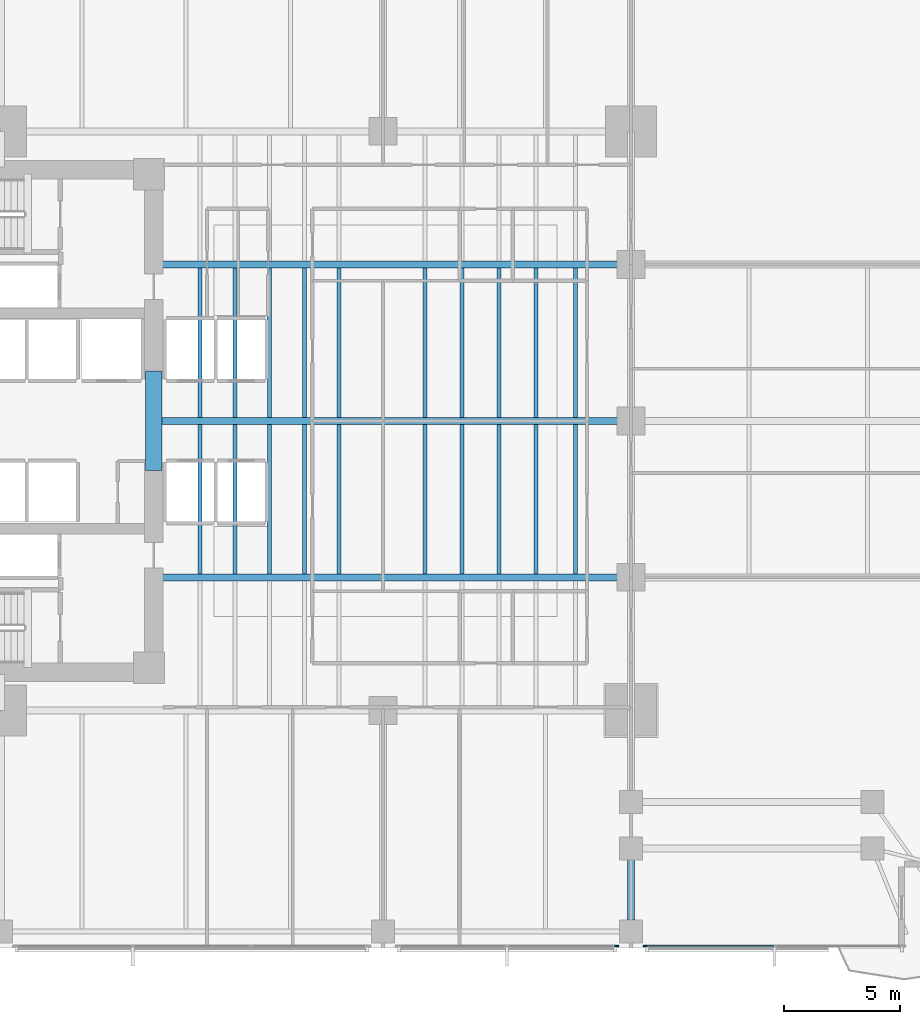
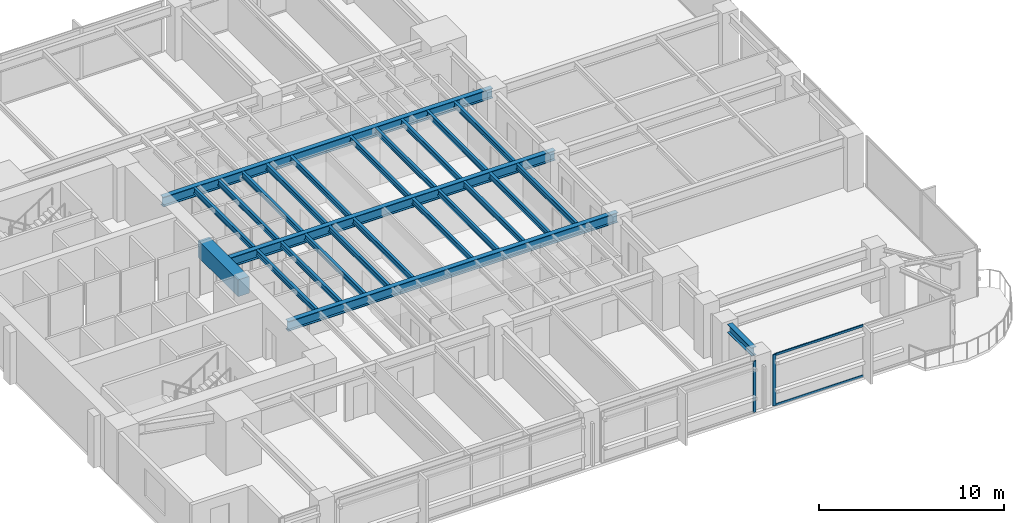
# One storey, part 3 of 15: 25 beams, 4 members, 2 elements without a shape of their own.
"""IFC4 building model written with IfcOpenShell, lengths in metres."""

from ifc_helpers import new_model, si_unit, direction, frame, origin, origin_2d, place, context, subcontext, project, spatial, rectangle, i_section, extrude, material, layer, layer_set, material_profile, profile_set, type_object, element, aggregate, save


model = new_model("IFC4")

# Units and contexts
model_context = context("Model", 3, precision=1e-05, world=origin(), true_north=direction((0.0, 1.0)))
body_context = subcontext(model_context, "Body", "Model", "MODEL_VIEW")
ifc_project = project(units=[si_unit("LENGTHUNIT", "METRE"), si_unit("AREAUNIT", "SQUARE_METRE"), si_unit("VOLUMEUNIT", "CUBIC_METRE"), si_unit("PLANEANGLEUNIT", "RADIAN"), si_unit("MASSUNIT", "GRAM", prefix="KILO")], contexts=[model_context])

# Site, building, storey
site_placement = place(None, origin())
site = spatial("IfcSite", under=ifc_project, at=site_placement, CompositionType="ELEMENT")
building_placement = place(site_placement, origin())
building = spatial("IfcBuilding", under=site, at=building_placement, Name="Kinhvarn Gate Tower", CompositionType="ELEMENT")
storey_placement = place(building_placement, frame((0.0, 0.0, 78.85009765625)))
storey = spatial("IfcBuildingStorey", under=building, at=storey_placement, Name="L20", CompositionType="ELEMENT", Elevation=78.85009765625)

# Beam
ifc_material_1 = material(Name="Concrete C70/85", Category="concrete")
ifc_material_profile_1 = material_profile(ifc_material_1, rectangle(XDim=0.699951171875, YDim=1.10009765625, at=origin_2d()), Name="RC 700x1100")
ifc_profile_set_1 = profile_set([ifc_material_profile_1], Name="Concrete C70/85")
beam_type_1 = type_object("IfcBeamType", Name="BM-CB-1100", PredefinedType="LINTEL", material=ifc_profile_set_1)
beam_1_placement = place(storey_placement, frame((17.60009765625, 23.10009765625, 2.81982421875), z_axis=(0.0, 1.0, 0.0), x_axis=(-1.0, 0.0, 0.0)))
element("IfcBeam", 1, at=beam_1_placement, inside=storey, type_object=beam_type_1, Name="Core East Portal Coupling Beam L20", PredefinedType="LINTEL", context=body_context, shape_type="SweptSolid", body=[
    extrude(rectangle(XDim=0.699951171875, YDim=1.10009765625, at=origin_2d()), origin(), (0.0, 0.0, 1.0), 4.2998046875),
])

# Curtain wall, member
ifc_material_2 = material(Name="Anodised aluminium AW-6063", Category="aluminium")
ifc_layer = layer(ifc_material_2, 0.179931640625)
ifc_layer_set = layer_set([ifc_layer], Name="Anodised aluminium AW-6063")
curtain_wall_type = type_object("IfcCurtainWallType", Name="CW-SYS-2", PredefinedType="NOTDEFINED", material=ifc_layer_set)
curtain_wall_1_placement = place(storey_placement, origin())
curtain_wall_1 = element("IfcCurtainWall", 2, at=curtain_wall_1_placement, inside=storey, type_object=curtain_wall_type, Name="Curtain Wall CW2 (L20)", PredefinedType="NOTDEFINED")
ifc_material_profile_2 = material_profile(ifc_material_2, rectangle(XDim=0.070068359375, YDim=0.179931640625, at=origin_2d()), Name="ALU 70x180")
ifc_profile_set_2 = profile_set([ifc_material_profile_2], Name="Anodised aluminium AW-6063")
member_type_1 = type_object("IfcMemberType", Name="CW-MUL-180", PredefinedType="MULLION", material=ifc_profile_set_2)
member_1_placement = place(storey_placement, frame((37.5849609375, 2.590087890625, 0.0), z_axis=(0.0, 0.0, 1.0), x_axis=(0.0, 1.0, 0.0)))
member_1 = element("IfcMember", 3, at=member_1_placement, type_object=member_type_1, Name="CW2 mullion 3", PredefinedType="MULLION", context=body_context, shape_type="SweptSolid", body=[
    extrude(rectangle(XDim=0.070068359375, YDim=0.179931640625, at=origin_2d()), origin(), (0.0, 0.0, 1.0), 3.369873046875),
])
aggregate(curtain_wall_1, [member_1])

# Curtain wall, members
curtain_wall_2_placement = place(storey_placement, origin())
curtain_wall_2 = element("IfcCurtainWall", 4, at=curtain_wall_2_placement, inside=storey, type_object=curtain_wall_type, Name="Curtain Wall CW2 (L20)", PredefinedType="NOTDEFINED")
member_2_placement = place(storey_placement, frame((38.81494140625, 2.590087890625, 0.0), z_axis=(0.0, 0.0, 1.0), x_axis=(0.0, 1.0, 0.0)))
member_2 = element("IfcMember", 5, at=member_2_placement, type_object=member_type_1, Name="CW2 mullion 1", PredefinedType="MULLION", context=body_context, shape_type="SweptSolid", body=[
    extrude(rectangle(XDim=0.070068359375, YDim=0.179931640625, at=origin_2d()), origin(), (0.0, 0.0, 1.0), 3.369873046875),
])
ifc_material_profile_3 = material_profile(ifc_material_2, rectangle(XDim=0.070068359375, YDim=0.139892578125, at=origin_2d()), Name="ALU 70x140")
ifc_profile_set_3 = profile_set([ifc_material_profile_3], Name="Anodised aluminium AW-6063")
member_type_2 = type_object("IfcMemberType", Name="CW-TRN-140", PredefinedType="USERDEFINED", material=ifc_profile_set_3)
member_3_placement = place(storey_placement, frame((38.85009765625, 2.590087890625, 0.034912109375), z_axis=(1.0, 0.0, 0.0), x_axis=(0.0, 1.0, 0.0)))
member_3 = element("IfcMember", 6, at=member_3_placement, type_object=member_type_2, Name="CW2 transom 1.1", ObjectType="TRANSOM", PredefinedType="USERDEFINED", context=body_context, shape_type="SweptSolid", body=[
    extrude(rectangle(XDim=0.070068359375, YDim=0.139892578125, at=origin_2d()), origin(), (0.0, 0.0, 1.0), 5.5048828125),
])
member_4_placement = place(storey_placement, frame((38.85009765625, 2.590087890625, 3.3349609375), z_axis=(1.0, 0.0, 0.0), x_axis=(0.0, 1.0, 0.0)))
member_4 = element("IfcMember", 7, at=member_4_placement, type_object=member_type_2, Name="CW2 transom 1.2", ObjectType="TRANSOM", PredefinedType="USERDEFINED", context=body_context, shape_type="SweptSolid", body=[
    extrude(rectangle(XDim=0.070068359375, YDim=0.139892578125, at=origin_2d()), origin(), (0.0, 0.0, 1.0), 5.5048828125),
])
aggregate(curtain_wall_2, [member_2, member_3, member_4])

# Beams
ifc_material_3 = material(Name="Steel S355", Category="steel")
ifc_material_profile_4 = material_profile(ifc_material_3, i_section(OverallWidth=0.300048828125, OverallDepth=0.550048828125, WebThickness=0.014892578125, FlangeThickness=0.029052734375, at=origin_2d()), Name="HEB 550")
ifc_profile_set_4 = profile_set([ifc_material_profile_4], Name="Steel S355")
beam_type_2 = type_object("IfcBeamType", Name="STL-HEB550", PredefinedType="BEAM", material=ifc_profile_set_4)
beam_2_placement = place(storey_placement, frame((38.199951171875, 3.705078125, 3.094970703125), z_axis=(0.0, 1.0, 0.0), x_axis=(-1.0, 0.0, 0.0)))
element("IfcBeam", 8, at=beam_2_placement, inside=storey, type_object=beam_type_2, Name="Floor Beam PG-15 (L20 MCE-S-A0)", PredefinedType="BEAM", context=body_context, shape_type="SweptSolid", body=[
    extrude(i_section(OverallWidth=0.300048828125, OverallDepth=0.550048828125, WebThickness=0.014892578125, FlangeThickness=0.029052734375, at=origin_2d()), origin(), (0.0, 0.0, 1.0), 2.60986328125),
])
ifc_material_profile_5 = material_profile(ifc_material_3, i_section(OverallWidth=0.300048828125, OverallDepth=0.64990234375, WebThickness=0.01611328125, FlangeThickness=0.031005859375, at=origin_2d()), Name="HEB 650")
ifc_profile_set_5 = profile_set([ifc_material_profile_5], Name="Steel S355")
beam_type_3 = type_object("IfcBeamType", Name="STL-HEB650", PredefinedType="BEAM", material=ifc_profile_set_5)
beam_3_placement = place(storey_placement, frame((17.64990234375, 18.5, 3.044921875), z_axis=(1.0, 0.0, 0.0), x_axis=(0.0, 1.0, 0.0)))
element("IfcBeam", 9, at=beam_3_placement, inside=storey, type_object=beam_type_3, Name="Floor Beam PG-17 (L20 EW1-Y18)", PredefinedType="BEAM", context=body_context, shape_type="SweptSolid", body=[
    extrude(i_section(OverallWidth=0.300048828125, OverallDepth=0.64990234375, WebThickness=0.01611328125, FlangeThickness=0.031005859375, at=origin_2d()), origin(), (0.0, 0.0, 1.0), 20.550048828125),
])
beam_4_placement = place(storey_placement, frame((17.949951171875, 25.25, 3.044921875), z_axis=(1.0, 0.0, 0.0), x_axis=(0.0, 1.0, 0.0)))
element("IfcBeam", 10, at=beam_4_placement, inside=storey, type_object=beam_type_3, Name="Floor Beam PG-17 (L20 EW1-Y25)", PredefinedType="BEAM", context=body_context, shape_type="SweptSolid", body=[
    extrude(i_section(OverallWidth=0.300048828125, OverallDepth=0.64990234375, WebThickness=0.01611328125, FlangeThickness=0.031005859375, at=origin_2d()), origin(), (0.0, 0.0, 1.0), 20.25),
])
beam_5_placement = place(storey_placement, frame((17.64990234375, 32.0, 3.044921875), z_axis=(1.0, 0.0, 0.0), x_axis=(0.0, 1.0, 0.0)))
element("IfcBeam", 11, at=beam_5_placement, inside=storey, type_object=beam_type_3, Name="Floor Beam PG-17 (L20 EW1-Y32)", PredefinedType="BEAM", context=body_context, shape_type="SweptSolid", body=[
    extrude(i_section(OverallWidth=0.300048828125, OverallDepth=0.64990234375, WebThickness=0.01611328125, FlangeThickness=0.031005859375, at=origin_2d()), origin(), (0.0, 0.0, 1.0), 20.550048828125),
])
ifc_material_profile_6 = material_profile(ifc_material_3, i_section(OverallWidth=0.169921875, OverallDepth=0.360107421875, WebThickness=0.008056640625, FlangeThickness=0.0126953125, at=origin_2d()), Name="IPE 360")
ifc_profile_set_6 = profile_set([ifc_material_profile_6], Name="Steel S355")
beam_type_4 = type_object("IfcBeamType", Name="STL-IPE360", PredefinedType="JOIST", material=ifc_profile_set_6)
for number, where, z_axis, x_axis, name in (
    (12, (19.60009765625, 18.64990234375, 3.18994140625), (0.0, 1.0, 0.0), (-1.0, 0.0, 0.0), "Floor Joist SB-04 (L20 JC-X196-1)"),
    (13, (19.60009765625, 25.39990234375, 3.18994140625), (0.0, 1.0, 0.0), (-1.0, 0.0, 0.0), "Floor Joist SB-04 (L20 JC-X196-2)"),
    (14, (21.10009765625, 18.64990234375, 3.18994140625), (0.0, 1.0, 0.0), (-1.0, 0.0, 0.0), "Floor Joist SB-04 (L20 JC-X211-1)"),
    (15, (21.10009765625, 25.39990234375, 3.18994140625), (0.0, 1.0, 0.0), (-1.0, 0.0, 0.0), "Floor Joist SB-04 (L20 JC-X211-2)"),
    (16, (22.60009765625, 18.64990234375, 3.18994140625), (0.0, 1.0, 0.0), (-1.0, 0.0, 0.0), "Floor Joist SB-04 (L20 JC-X226-1)"),
    (17, (22.60009765625, 25.39990234375, 3.18994140625), (0.0, 1.0, 0.0), (-1.0, 0.0, 0.0), "Floor Joist SB-04 (L20 JC-X226-2)"),
    (18, (24.10009765625, 18.64990234375, 3.18994140625), (0.0, 1.0, 0.0), (-1.0, 0.0, 0.0), "Floor Joist SB-04 (L20 JC-X241-1)"),
    (19, (24.10009765625, 25.39990234375, 3.18994140625), (0.0, 1.0, 0.0), (-1.0, 0.0, 0.0), "Floor Joist SB-04 (L20 JC-X241-2)"),
    (20, (25.60009765625, 18.64990234375, 3.18994140625), (0.0, 1.0, 0.0), (-1.0, 0.0, 0.0), "Floor Joist SB-04 (L20 JC-X256-1)"),
    (21, (25.60009765625, 25.39990234375, 3.18994140625), (0.0, 1.0, 0.0), (-1.0, 0.0, 0.0), "Floor Joist SB-04 (L20 JC-X256-2)"),
    (22, (29.300048828125, 18.64990234375, 3.18994140625), (0.0, 1.0, 0.0), (-1.0, 0.0, 0.0), "Floor Joist SB-04 (L20 JC-X293-1)"),
    (23, (29.300048828125, 25.39990234375, 3.18994140625), (0.0, 1.0, 0.0), (-1.0, 0.0, 0.0), "Floor Joist SB-04 (L20 JC-X293-2)"),
    (24, (30.89990234375, 18.64990234375, 3.18994140625), (0.0, 1.0, 0.0), (-1.0, 0.0, 0.0), "Floor Joist SB-04 (L20 JC-X309-1)"),
    (25, (30.89990234375, 25.39990234375, 3.18994140625), (0.0, 1.0, 0.0), (-1.0, 0.0, 0.0), "Floor Joist SB-04 (L20 JC-X309-2)"),
    (26, (32.5, 18.64990234375, 3.18994140625), (0.0, 1.0, 0.0), (-1.0, 0.0, 0.0), "Floor Joist SB-04 (L20 JC-X325-1)"),
    (27, (32.5, 25.39990234375, 3.18994140625), (0.0, 1.0, 0.0), (-1.0, 0.0, 0.0), "Floor Joist SB-04 (L20 JC-X325-2)"),
    (28, (34.10009765625, 18.64990234375, 3.18994140625), (0.0, 1.0, 0.0), (-1.0, 0.0, 0.0), "Floor Joist SB-04 (L20 JC-X341-1)"),
    (29, (34.10009765625, 25.39990234375, 3.18994140625), (0.0, 1.0, 0.0), (-1.0, 0.0, 0.0), "Floor Joist SB-04 (L20 JC-X341-2)"),
    (30, (35.800048828125, 18.64990234375, 3.18994140625), (0.0, 1.0, 0.0), (-1.0, 0.0, 0.0), "Floor Joist SB-04 (L20 JC-X358-1)"),
    (31, (35.800048828125, 25.39990234375, 3.18994140625), (0.0, 1.0, 0.0), (-1.0, 0.0, 0.0), "Floor Joist SB-04 (L20 JC-X358-2)"),
):
    element("IfcBeam", number, at=place(storey_placement, frame(where, z_axis=z_axis, x_axis=x_axis)), inside=storey, type_object=beam_type_4, Name=name, PredefinedType="JOIST", context=body_context, shape_type="SweptSolid", body=[
        extrude(i_section(OverallWidth=0.169921875, OverallDepth=0.360107421875, WebThickness=0.008056640625, FlangeThickness=0.0126953125, at=origin_2d()), origin(), (0.0, 0.0, 1.0), 6.4501953125),
    ])

save(model, "model.ifc")
